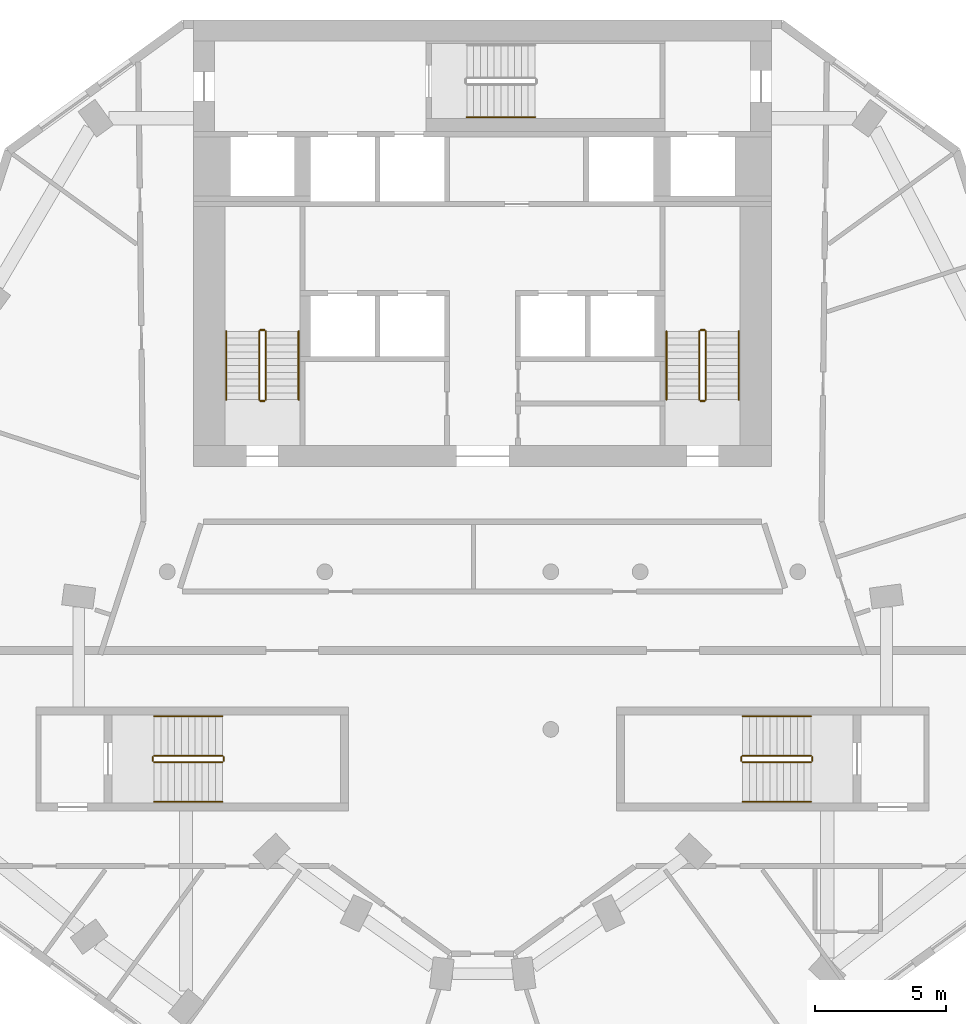
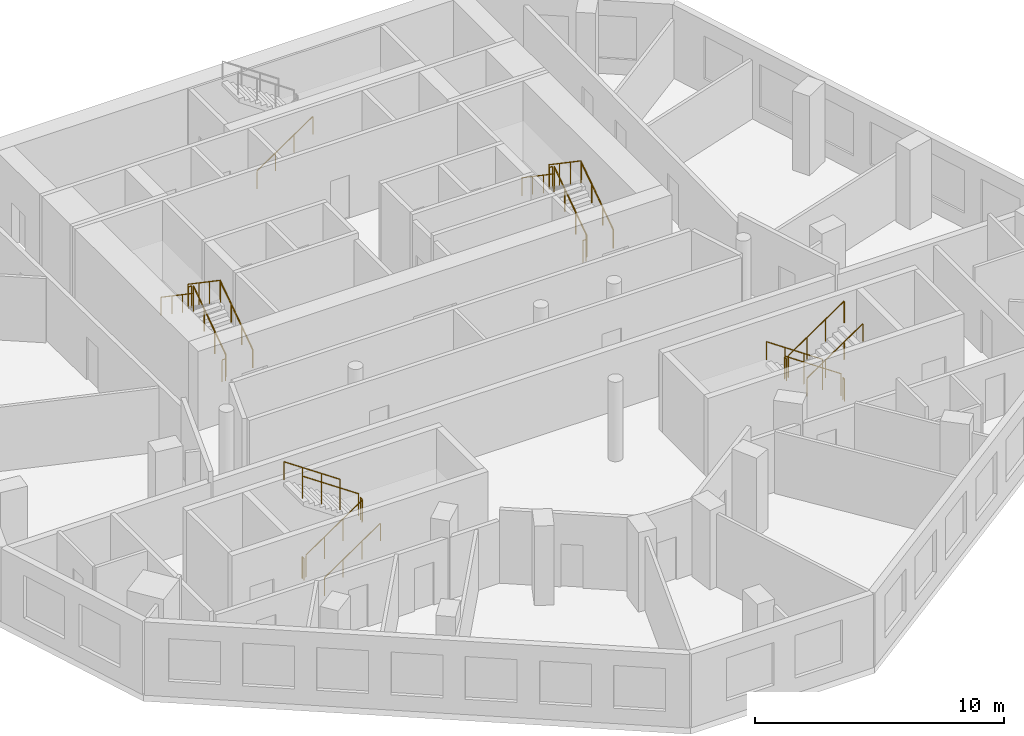
# One storey, part 8 of 9: 25 railings.
"""IFC4 building model written with IfcOpenShell, lengths in metres."""

from ifc_helpers import new_model, si_unit, direction, frame, origin, origin_2d, place, context, subcontext, project, spatial, circle, extrude, material, type_object, element, save


model = new_model("IFC4")

# Units and contexts
model_context = context("Model", 3, precision=1e-05, world=origin(), true_north=direction((0.0, 1.0)))
body_context = subcontext(model_context, "Body", "Model", "MODEL_VIEW")
ifc_project = project(units=[si_unit("LENGTHUNIT", "METRE"), si_unit("AREAUNIT", "SQUARE_METRE"), si_unit("VOLUMEUNIT", "CUBIC_METRE"), si_unit("PLANEANGLEUNIT", "RADIAN"), si_unit("MASSUNIT", "GRAM", prefix="KILO")], contexts=[model_context])

# Site, building, storey
site_placement = place(None, origin())
site = spatial("IfcSite", under=ifc_project, at=site_placement, CompositionType="ELEMENT")
building_placement = place(site_placement, origin())
building = spatial("IfcBuilding", under=site, at=building_placement, Name="White Candle Pilgrim Tower", CompositionType="ELEMENT")
storey_placement = place(building_placement, frame((0.0, 0.0, 227.699951171875)))
storey = spatial("IfcBuildingStorey", under=building, at=storey_placement, Name="L53", CompositionType="ELEMENT", Elevation=227.699951171875)

# Railings
ifc_material = material(Name="Stainless steel", Category="steel")
railing_type_1 = type_object("IfcRailingType", Name="Stair guard stainless steel 1100 mm", PredefinedType="GUARDRAIL", material=ifc_material)
railing_1_placement = place(storey_placement, frame((61.75, 73.550048828125, 0.17724609375)))
element("IfcRailing", 1, at=railing_1_placement, inside=storey, type_object=railing_type_1, Name="L53 ST1 stair guard 1", PredefinedType="GUARDRAIL", context=body_context, shape_type="SweptSolid", body=[
    extrude(circle(Radius=0.02392578125, at=origin_2d()), frame((0.0, 0.0, 1.076171875), z_axis=(0.0, 0.826215852431, 0.563353676824), x_axis=(-1.0, 0.0, 0.0)), (0.0, 0.0, 1.0), 3.146728515625),
    extrude(circle(Radius=0.02099609375, at=origin_2d()), origin(), (0.0, 0.0, 1.0), 1.052001953125),
    extrude(circle(Radius=0.02099609375, at=origin_2d()), frame((0.0, 0.86669921875, 0.5908203125)), (0.0, 0.0, 1.0), 1.052001953125),
    extrude(circle(Radius=0.02099609375, at=origin_2d()), frame((0.0, 1.733154296875, 1.181884765625)), (0.0, 0.0, 1.0), 1.052001953125),
    extrude(circle(Radius=0.02099609375, at=origin_2d()), frame((0.0, 2.599853515625, 1.772705078125)), (0.0, 0.0, 1.0), 1.052001953125),
])
railing_2_placement = place(storey_placement, frame((61.699951171875, 76.199951171875, 1.949951171875)))
element("IfcRailing", 2, at=railing_2_placement, inside=storey, type_object=railing_type_1, Name="L53 ST1 stair guard 2", PredefinedType="GUARDRAIL", context=body_context, shape_type="SweptSolid", body=[
    extrude(circle(Radius=0.02392578125, at=origin_2d()), frame((0.0, 0.0, 1.076171875), z_axis=(-1.0, 0.0, 0.0), x_axis=(0.0, -1.0, 0.0)), (0.0, 0.0, 1.0), 0.14990234375),
    extrude(circle(Radius=0.02099609375, at=origin_2d()), origin(), (0.0, 0.0, 1.0), 1.052001953125),
    extrude(circle(Radius=0.02099609375, at=origin_2d()), frame((-0.14990234375, 0.0, 0.0)), (0.0, 0.0, 1.0), 1.052001953125),
])
railing_3_placement = place(storey_placement, frame((61.5, 76.14990234375, 2.12744140625)))
element("IfcRailing", 3, at=railing_3_placement, inside=storey, type_object=railing_type_1, Name="L53 ST1 stair guard 3", PredefinedType="GUARDRAIL", context=body_context, shape_type="SweptSolid", body=[
    extrude(circle(Radius=0.02392578125, at=origin_2d()), frame((0.0, 0.0, 1.076171875), z_axis=(0.0, -0.826215852431, 0.563353676824), x_axis=(1.0, 0.0, 0.0)), (0.0, 0.0, 1.0), 3.146728515625),
    extrude(circle(Radius=0.02099609375, at=origin_2d()), origin(), (0.0, 0.0, 1.0), 1.052001953125),
    extrude(circle(Radius=0.02099609375, at=origin_2d()), frame((0.0, -0.86669921875, 0.5908203125)), (0.0, 0.0, 1.0), 1.052001953125),
    extrude(circle(Radius=0.02099609375, at=origin_2d()), frame((0.0, -1.733154296875, 1.181884765625)), (0.0, 0.0, 1.0), 1.052001953125),
    extrude(circle(Radius=0.02099609375, at=origin_2d()), frame((0.0, -2.599853515625, 1.772705078125)), (0.0, 0.0, 1.0), 1.052001953125),
])
railing_4_placement = place(storey_placement, frame((61.699951171875, 73.5, 0.0)))
element("IfcRailing", 4, at=railing_4_placement, inside=storey, type_object=railing_type_1, Name="L53 ST1 stair guard 4", PredefinedType="GUARDRAIL", context=body_context, shape_type="SweptSolid", body=[
    extrude(circle(Radius=0.02392578125, at=origin_2d()), frame((0.0, 0.0, 1.076171875), z_axis=(-1.0, 0.0, 0.0), x_axis=(0.0, -1.0, 0.0)), (0.0, 0.0, 1.0), 0.14990234375),
    extrude(circle(Radius=0.02099609375, at=origin_2d()), origin(), (0.0, 0.0, 1.0), 1.052001953125),
    extrude(circle(Radius=0.02099609375, at=origin_2d()), frame((-0.14990234375, 0.0, 0.0)), (0.0, 0.0, 1.0), 1.052001953125),
])
railing_5_placement = place(storey_placement, frame((78.5, 73.550048828125, 0.17724609375)))
element("IfcRailing", 5, at=railing_5_placement, inside=storey, type_object=railing_type_1, Name="L53 ST2 stair guard 1", PredefinedType="GUARDRAIL", context=body_context, shape_type="SweptSolid", body=[
    extrude(circle(Radius=0.02392578125, at=origin_2d()), frame((0.0, 0.0, 1.076171875), z_axis=(0.0, 0.826215852431, 0.563353676824), x_axis=(-1.0, 0.0, 0.0)), (0.0, 0.0, 1.0), 3.146728515625),
    extrude(circle(Radius=0.02099609375, at=origin_2d()), origin(), (0.0, 0.0, 1.0), 1.052001953125),
    extrude(circle(Radius=0.02099609375, at=origin_2d()), frame((0.0, 0.86669921875, 0.5908203125)), (0.0, 0.0, 1.0), 1.052001953125),
    extrude(circle(Radius=0.02099609375, at=origin_2d()), frame((0.0, 1.733154296875, 1.181884765625)), (0.0, 0.0, 1.0), 1.052001953125),
    extrude(circle(Radius=0.02099609375, at=origin_2d()), frame((0.0, 2.599853515625, 1.772705078125)), (0.0, 0.0, 1.0), 1.052001953125),
])
railing_6_placement = place(storey_placement, frame((78.449951171875, 76.199951171875, 1.949951171875)))
element("IfcRailing", 6, at=railing_6_placement, inside=storey, type_object=railing_type_1, Name="L53 ST2 stair guard 2", PredefinedType="GUARDRAIL", context=body_context, shape_type="SweptSolid", body=[
    extrude(circle(Radius=0.02392578125, at=origin_2d()), frame((0.0, 0.0, 1.076171875), z_axis=(-1.0, 0.0, 0.0), x_axis=(0.0, -1.0, 0.0)), (0.0, 0.0, 1.0), 0.14990234375),
    extrude(circle(Radius=0.02099609375, at=origin_2d()), origin(), (0.0, 0.0, 1.0), 1.052001953125),
    extrude(circle(Radius=0.02099609375, at=origin_2d()), frame((-0.14990234375, 0.0, 0.0)), (0.0, 0.0, 1.0), 1.052001953125),
])
railing_7_placement = place(storey_placement, frame((78.25, 76.14990234375, 2.12744140625)))
element("IfcRailing", 7, at=railing_7_placement, inside=storey, type_object=railing_type_1, Name="L53 ST2 stair guard 3", PredefinedType="GUARDRAIL", context=body_context, shape_type="SweptSolid", body=[
    extrude(circle(Radius=0.02392578125, at=origin_2d()), frame((0.0, 0.0, 1.076171875), z_axis=(0.0, -0.826215852431, 0.563353676824), x_axis=(1.0, 0.0, 0.0)), (0.0, 0.0, 1.0), 3.146728515625),
    extrude(circle(Radius=0.02099609375, at=origin_2d()), origin(), (0.0, 0.0, 1.0), 1.052001953125),
    extrude(circle(Radius=0.02099609375, at=origin_2d()), frame((0.0, -0.86669921875, 0.5908203125)), (0.0, 0.0, 1.0), 1.052001953125),
    extrude(circle(Radius=0.02099609375, at=origin_2d()), frame((0.0, -1.733154296875, 1.181884765625)), (0.0, 0.0, 1.0), 1.052001953125),
    extrude(circle(Radius=0.02099609375, at=origin_2d()), frame((0.0, -2.599853515625, 1.772705078125)), (0.0, 0.0, 1.0), 1.052001953125),
])
railing_8_placement = place(storey_placement, frame((78.449951171875, 73.5, 0.0)))
element("IfcRailing", 8, at=railing_8_placement, inside=storey, type_object=railing_type_1, Name="L53 ST2 stair guard 4", PredefinedType="GUARDRAIL", context=body_context, shape_type="SweptSolid", body=[
    extrude(circle(Radius=0.02392578125, at=origin_2d()), frame((0.0, 0.0, 1.076171875), z_axis=(-1.0, 0.0, 0.0), x_axis=(0.0, -1.0, 0.0)), (0.0, 0.0, 1.0), 0.14990234375),
    extrude(circle(Radius=0.02099609375, at=origin_2d()), origin(), (0.0, 0.0, 1.0), 1.052001953125),
    extrude(circle(Radius=0.02099609375, at=origin_2d()), frame((-0.14990234375, 0.0, 0.0)), (0.0, 0.0, 1.0), 1.052001953125),
])
railing_9_placement = place(storey_placement, frame((82.5, 60.0, 0.17724609375)))
element("IfcRailing", 9, at=railing_9_placement, inside=storey, type_object=railing_type_1, Name="L53 ST4 stair guard 1", PredefinedType="GUARDRAIL", context=body_context, shape_type="SweptSolid", body=[
    extrude(circle(Radius=0.02392578125, at=origin_2d()), frame((0.0, 0.0, 1.076171875), z_axis=(-0.826240473404, 0.0, 0.563317565952), x_axis=(0.0, -1.0, 0.0)), (0.0, 0.0, 1.0), 3.14697265625),
    extrude(circle(Radius=0.02099609375, at=origin_2d()), origin(), (0.0, 0.0, 1.0), 1.052001953125),
    extrude(circle(Radius=0.02099609375, at=origin_2d()), frame((-0.86669921875, 0.0, 0.5908203125)), (0.0, 0.0, 1.0), 1.052001953125),
    extrude(circle(Radius=0.02099609375, at=origin_2d()), frame((-1.7333984375, 0.0, 1.181884765625)), (0.0, 0.0, 1.0), 1.052001953125),
    extrude(circle(Radius=0.02099609375, at=origin_2d()), frame((-2.60009765625, 0.0, 1.772705078125)), (0.0, 0.0, 1.0), 1.052001953125),
])
railing_10_placement = place(storey_placement, frame((79.85009765625, 59.949951171875, 1.949951171875)))
element("IfcRailing", 10, at=railing_10_placement, inside=storey, type_object=railing_type_1, Name="L53 ST4 stair guard 2", PredefinedType="GUARDRAIL", context=body_context, shape_type="SweptSolid", body=[
    extrude(circle(Radius=0.02392578125, at=origin_2d()), frame((0.0, 0.0, 1.076171875), z_axis=(0.0, -1.0, 0.0), x_axis=(1.0, 0.0, 0.0)), (0.0, 0.0, 1.0), 0.14990234375),
    extrude(circle(Radius=0.02099609375, at=origin_2d()), origin(), (0.0, 0.0, 1.0), 1.052001953125),
    extrude(circle(Radius=0.02099609375, at=origin_2d()), frame((0.0, -0.14990234375, 0.0)), (0.0, 0.0, 1.0), 1.052001953125),
])
railing_11_placement = place(storey_placement, frame((79.89990234375, 59.75, 2.12744140625)))
element("IfcRailing", 11, at=railing_11_placement, inside=storey, type_object=railing_type_1, Name="L53 ST4 stair guard 3", PredefinedType="GUARDRAIL", context=body_context, shape_type="SweptSolid", body=[
    extrude(circle(Radius=0.02392578125, at=origin_2d()), frame((0.0, 0.0, 1.076171875), z_axis=(0.826240473404, 0.0, 0.563317565952), x_axis=(0.0, 1.0, 0.0)), (0.0, 0.0, 1.0), 3.14697265625),
    extrude(circle(Radius=0.02099609375, at=origin_2d()), origin(), (0.0, 0.0, 1.0), 1.052001953125),
    extrude(circle(Radius=0.02099609375, at=origin_2d()), frame((0.86669921875, 0.0, 0.5908203125)), (0.0, 0.0, 1.0), 1.052001953125),
    extrude(circle(Radius=0.02099609375, at=origin_2d()), frame((1.7333984375, 0.0, 1.181884765625)), (0.0, 0.0, 1.0), 1.052001953125),
    extrude(circle(Radius=0.02099609375, at=origin_2d()), frame((2.60009765625, 0.0, 1.772705078125)), (0.0, 0.0, 1.0), 1.052001953125),
])
railing_12_placement = place(storey_placement, frame((82.550048828125, 59.949951171875, 0.0)))
element("IfcRailing", 12, at=railing_12_placement, inside=storey, type_object=railing_type_1, Name="L53 ST4 stair guard 4", PredefinedType="GUARDRAIL", context=body_context, shape_type="SweptSolid", body=[
    extrude(circle(Radius=0.02392578125, at=origin_2d()), frame((0.0, 0.0, 1.076171875), z_axis=(0.0, -1.0, 0.0), x_axis=(1.0, 0.0, 0.0)), (0.0, 0.0, 1.0), 0.14990234375),
    extrude(circle(Radius=0.02099609375, at=origin_2d()), origin(), (0.0, 0.0, 1.0), 1.052001953125),
    extrude(circle(Radius=0.02099609375, at=origin_2d()), frame((0.0, -0.14990234375, 0.0)), (0.0, 0.0, 1.0), 1.052001953125),
])
railing_13_placement = place(storey_placement, frame((57.5, 59.75, 0.17724609375)))
element("IfcRailing", 13, at=railing_13_placement, inside=storey, type_object=railing_type_1, Name="L53 ST5 stair guard 1", PredefinedType="GUARDRAIL", context=body_context, shape_type="SweptSolid", body=[
    extrude(circle(Radius=0.02392578125, at=origin_2d()), frame((0.0, 0.0, 1.076171875), z_axis=(0.826240473404, 0.0, 0.563317565952), x_axis=(0.0, 1.0, 0.0)), (0.0, 0.0, 1.0), 3.14697265625),
    extrude(circle(Radius=0.02099609375, at=origin_2d()), origin(), (0.0, 0.0, 1.0), 1.052001953125),
    extrude(circle(Radius=0.02099609375, at=origin_2d()), frame((0.86669921875, 0.0, 0.5908203125)), (0.0, 0.0, 1.0), 1.052001953125),
    extrude(circle(Radius=0.02099609375, at=origin_2d()), frame((1.7333984375, 0.0, 1.181884765625)), (0.0, 0.0, 1.0), 1.052001953125),
    extrude(circle(Radius=0.02099609375, at=origin_2d()), frame((2.60009765625, 0.0, 1.772705078125)), (0.0, 0.0, 1.0), 1.052001953125),
])
railing_14_placement = place(storey_placement, frame((60.14990234375, 59.800048828125, 1.949951171875)))
element("IfcRailing", 14, at=railing_14_placement, inside=storey, type_object=railing_type_1, Name="L53 ST5 stair guard 2", PredefinedType="GUARDRAIL", context=body_context, shape_type="SweptSolid", body=[
    extrude(circle(Radius=0.02392578125, at=origin_2d()), frame((0.0, 0.0, 1.076171875), z_axis=(0.0, 1.0, 0.0), x_axis=(-1.0, 0.0, 0.0)), (0.0, 0.0, 1.0), 0.14990234375),
    extrude(circle(Radius=0.02099609375, at=origin_2d()), origin(), (0.0, 0.0, 1.0), 1.052001953125),
    extrude(circle(Radius=0.02099609375, at=origin_2d()), frame((0.0, 0.14990234375, 0.0)), (0.0, 0.0, 1.0), 1.052001953125),
])
railing_15_placement = place(storey_placement, frame((60.10009765625, 60.0, 2.12744140625)))
element("IfcRailing", 15, at=railing_15_placement, inside=storey, type_object=railing_type_1, Name="L53 ST5 stair guard 3", PredefinedType="GUARDRAIL", context=body_context, shape_type="SweptSolid", body=[
    extrude(circle(Radius=0.02392578125, at=origin_2d()), frame((0.0, 0.0, 1.076171875), z_axis=(-0.826240473404, 0.0, 0.563317565952), x_axis=(0.0, -1.0, 0.0)), (0.0, 0.0, 1.0), 3.14697265625),
    extrude(circle(Radius=0.02099609375, at=origin_2d()), origin(), (0.0, 0.0, 1.0), 1.052001953125),
    extrude(circle(Radius=0.02099609375, at=origin_2d()), frame((-0.86669921875, 0.0, 0.5908203125)), (0.0, 0.0, 1.0), 1.052001953125),
    extrude(circle(Radius=0.02099609375, at=origin_2d()), frame((-1.7333984375, 0.0, 1.181884765625)), (0.0, 0.0, 1.0), 1.052001953125),
    extrude(circle(Radius=0.02099609375, at=origin_2d()), frame((-2.60009765625, 0.0, 1.772705078125)), (0.0, 0.0, 1.0), 1.052001953125),
])
railing_16_placement = place(storey_placement, frame((57.449951171875, 59.800048828125, 0.0)))
element("IfcRailing", 16, at=railing_16_placement, inside=storey, type_object=railing_type_1, Name="L53 ST5 stair guard 4", PredefinedType="GUARDRAIL", context=body_context, shape_type="SweptSolid", body=[
    extrude(circle(Radius=0.02392578125, at=origin_2d()), frame((0.0, 0.0, 1.076171875), z_axis=(0.0, 1.0, 0.0), x_axis=(-1.0, 0.0, 0.0)), (0.0, 0.0, 1.0), 0.14990234375),
    extrude(circle(Radius=0.02099609375, at=origin_2d()), origin(), (0.0, 0.0, 1.0), 1.052001953125),
    extrude(circle(Radius=0.02099609375, at=origin_2d()), frame((0.0, 0.14990234375, 0.0)), (0.0, 0.0, 1.0), 1.052001953125),
])
railing_type_2 = type_object("IfcRailingType", Name="Stair handrail stainless steel", PredefinedType="HANDRAIL", material=ifc_material)
railing_17_placement = place(storey_placement, frame((63.0, 73.550048828125, 0.17724609375)))
element("IfcRailing", 17, at=railing_17_placement, inside=storey, type_object=railing_type_2, Name="L53 ST1 stair handrail 1", PredefinedType="HANDRAIL", context=body_context, shape_type="SweptSolid", body=[
    extrude(circle(Radius=0.02392578125, at=origin_2d()), frame((0.0, 0.0, 0.8759765625), z_axis=(0.0, 0.826215852431, 0.563353676824), x_axis=(-1.0, 0.0, 0.0)), (0.0, 0.0, 1.0), 3.146728515625),
    extrude(circle(Radius=0.02099609375, at=origin_2d()), origin(), (0.0, 0.0, 1.0), 0.851806640625),
    extrude(circle(Radius=0.02099609375, at=origin_2d()), frame((0.0, 0.86669921875, 0.5908203125)), (0.0, 0.0, 1.0), 0.851806640625),
    extrude(circle(Radius=0.02099609375, at=origin_2d()), frame((0.0, 1.733154296875, 1.181884765625)), (0.0, 0.0, 1.0), 0.851806640625),
    extrude(circle(Radius=0.02099609375, at=origin_2d()), frame((0.0, 2.599853515625, 1.772705078125)), (0.0, 0.0, 1.0), 0.851806640625),
])
railing_18_placement = place(storey_placement, frame((60.25, 76.14990234375, 2.12744140625)))
element("IfcRailing", 18, at=railing_18_placement, inside=storey, type_object=railing_type_2, Name="L53 ST1 stair handrail 2", PredefinedType="HANDRAIL", context=body_context, shape_type="SweptSolid", body=[
    extrude(circle(Radius=0.02392578125, at=origin_2d()), frame((0.0, 0.0, 0.8759765625), z_axis=(0.0, -0.826215852431, 0.563353676824), x_axis=(1.0, 0.0, 0.0)), (0.0, 0.0, 1.0), 3.146728515625),
    extrude(circle(Radius=0.02099609375, at=origin_2d()), origin(), (0.0, 0.0, 1.0), 0.851806640625),
    extrude(circle(Radius=0.02099609375, at=origin_2d()), frame((0.0, -0.86669921875, 0.5908203125)), (0.0, 0.0, 1.0), 0.851806640625),
    extrude(circle(Radius=0.02099609375, at=origin_2d()), frame((0.0, -1.733154296875, 1.181884765625)), (0.0, 0.0, 1.0), 0.851806640625),
    extrude(circle(Radius=0.02099609375, at=origin_2d()), frame((0.0, -2.599853515625, 1.772705078125)), (0.0, 0.0, 1.0), 0.851806640625),
])
railing_19_placement = place(storey_placement, frame((79.75, 73.550048828125, 0.17724609375)))
element("IfcRailing", 19, at=railing_19_placement, inside=storey, type_object=railing_type_2, Name="L53 ST2 stair handrail 1", PredefinedType="HANDRAIL", context=body_context, shape_type="SweptSolid", body=[
    extrude(circle(Radius=0.02392578125, at=origin_2d()), frame((0.0, 0.0, 0.8759765625), z_axis=(0.0, 0.826215852431, 0.563353676824), x_axis=(-1.0, 0.0, 0.0)), (0.0, 0.0, 1.0), 3.146728515625),
    extrude(circle(Radius=0.02099609375, at=origin_2d()), origin(), (0.0, 0.0, 1.0), 0.851806640625),
    extrude(circle(Radius=0.02099609375, at=origin_2d()), frame((0.0, 0.86669921875, 0.5908203125)), (0.0, 0.0, 1.0), 0.851806640625),
    extrude(circle(Radius=0.02099609375, at=origin_2d()), frame((0.0, 1.733154296875, 1.181884765625)), (0.0, 0.0, 1.0), 0.851806640625),
    extrude(circle(Radius=0.02099609375, at=origin_2d()), frame((0.0, 2.599853515625, 1.772705078125)), (0.0, 0.0, 1.0), 0.851806640625),
])
railing_20_placement = place(storey_placement, frame((77.0, 76.14990234375, 2.12744140625)))
element("IfcRailing", 20, at=railing_20_placement, inside=storey, type_object=railing_type_2, Name="L53 ST2 stair handrail 2", PredefinedType="HANDRAIL", context=body_context, shape_type="SweptSolid", body=[
    extrude(circle(Radius=0.02392578125, at=origin_2d()), frame((0.0, 0.0, 0.8759765625), z_axis=(0.0, -0.826215852431, 0.563353676824), x_axis=(1.0, 0.0, 0.0)), (0.0, 0.0, 1.0), 3.146728515625),
    extrude(circle(Radius=0.02099609375, at=origin_2d()), origin(), (0.0, 0.0, 1.0), 0.851806640625),
    extrude(circle(Radius=0.02099609375, at=origin_2d()), frame((0.0, -0.86669921875, 0.5908203125)), (0.0, 0.0, 1.0), 0.851806640625),
    extrude(circle(Radius=0.02099609375, at=origin_2d()), frame((0.0, -1.733154296875, 1.181884765625)), (0.0, 0.0, 1.0), 0.851806640625),
    extrude(circle(Radius=0.02099609375, at=origin_2d()), frame((0.0, -2.599853515625, 1.772705078125)), (0.0, 0.0, 1.0), 0.851806640625),
])
railing_21_placement = place(storey_placement, frame((69.39990234375, 84.300048828125, 0.17724609375)))
element("IfcRailing", 21, at=railing_21_placement, inside=storey, type_object=railing_type_2, Name="L53 ST3 stair handrail 1", PredefinedType="HANDRAIL", context=body_context, shape_type="SweptSolid", body=[
    extrude(circle(Radius=0.02392578125, at=origin_2d()), frame((0.0, 0.0, 0.8759765625), z_axis=(0.826240473404, 0.0, 0.563317565952), x_axis=(0.0, 1.0, 0.0)), (0.0, 0.0, 1.0), 3.14697265625),
    extrude(circle(Radius=0.02099609375, at=origin_2d()), origin(), (0.0, 0.0, 1.0), 0.851806640625),
    extrude(circle(Radius=0.02099609375, at=origin_2d()), frame((0.86669921875, 0.0, 0.5908203125)), (0.0, 0.0, 1.0), 0.851806640625),
    extrude(circle(Radius=0.02099609375, at=origin_2d()), frame((1.7333984375, 0.0, 1.181884765625)), (0.0, 0.0, 1.0), 0.851806640625),
    extrude(circle(Radius=0.02099609375, at=origin_2d()), frame((2.60009765625, 0.0, 1.772705078125)), (0.0, 0.0, 1.0), 0.851806640625),
])
railing_22_placement = place(storey_placement, frame((82.5, 61.5, 0.17724609375)))
element("IfcRailing", 22, at=railing_22_placement, inside=storey, type_object=railing_type_2, Name="L53 ST4 stair handrail 1", PredefinedType="HANDRAIL", context=body_context, shape_type="SweptSolid", body=[
    extrude(circle(Radius=0.02392578125, at=origin_2d()), frame((0.0, 0.0, 0.8759765625), z_axis=(-0.826240473404, 0.0, 0.563317565952), x_axis=(0.0, -1.0, 0.0)), (0.0, 0.0, 1.0), 3.14697265625),
    extrude(circle(Radius=0.02099609375, at=origin_2d()), origin(), (0.0, 0.0, 1.0), 0.851806640625),
    extrude(circle(Radius=0.02099609375, at=origin_2d()), frame((-0.86669921875, 0.0, 0.5908203125)), (0.0, 0.0, 1.0), 0.851806640625),
    extrude(circle(Radius=0.02099609375, at=origin_2d()), frame((-1.7333984375, 0.0, 1.181884765625)), (0.0, 0.0, 1.0), 0.851806640625),
    extrude(circle(Radius=0.02099609375, at=origin_2d()), frame((-2.60009765625, 0.0, 1.772705078125)), (0.0, 0.0, 1.0), 0.851806640625),
])
for number, where, name in (
    (23, (79.89990234375, 58.25, 2.12744140625), "L53 ST4 stair handrail 2"),
    (24, (57.5, 58.25, 0.17724609375), "L53 ST5 stair handrail 1"),
):
    element("IfcRailing", number, at=place(storey_placement, frame(where)), inside=storey, type_object=railing_type_2, Name=name, PredefinedType="HANDRAIL", context=body_context, shape_type="SweptSolid", body=[
        extrude(circle(Radius=0.02392578125, at=origin_2d()), frame((0.0, 0.0, 0.8759765625), z_axis=(0.826240473404, 0.0, 0.563317565952), x_axis=(0.0, 1.0, 0.0)), (0.0, 0.0, 1.0), 3.14697265625),
        extrude(circle(Radius=0.02099609375, at=origin_2d()), origin(), (0.0, 0.0, 1.0), 0.851806640625),
        extrude(circle(Radius=0.02099609375, at=origin_2d()), frame((0.86669921875, 0.0, 0.5908203125)), (0.0, 0.0, 1.0), 0.851806640625),
        extrude(circle(Radius=0.02099609375, at=origin_2d()), frame((1.7333984375, 0.0, 1.181884765625)), (0.0, 0.0, 1.0), 0.851806640625),
        extrude(circle(Radius=0.02099609375, at=origin_2d()), frame((2.60009765625, 0.0, 1.772705078125)), (0.0, 0.0, 1.0), 0.851806640625),
    ])
railing_23_placement = place(storey_placement, frame((60.10009765625, 61.5, 2.12744140625)))
element("IfcRailing", 25, at=railing_23_placement, inside=storey, type_object=railing_type_2, Name="L53 ST5 stair handrail 2", PredefinedType="HANDRAIL", context=body_context, shape_type="SweptSolid", body=[
    extrude(circle(Radius=0.02392578125, at=origin_2d()), frame((0.0, 0.0, 0.8759765625), z_axis=(-0.826240473404, 0.0, 0.563317565952), x_axis=(0.0, -1.0, 0.0)), (0.0, 0.0, 1.0), 3.14697265625),
    extrude(circle(Radius=0.02099609375, at=origin_2d()), origin(), (0.0, 0.0, 1.0), 0.851806640625),
    extrude(circle(Radius=0.02099609375, at=origin_2d()), frame((-0.86669921875, 0.0, 0.5908203125)), (0.0, 0.0, 1.0), 0.851806640625),
    extrude(circle(Radius=0.02099609375, at=origin_2d()), frame((-1.7333984375, 0.0, 1.181884765625)), (0.0, 0.0, 1.0), 0.851806640625),
    extrude(circle(Radius=0.02099609375, at=origin_2d()), frame((-2.60009765625, 0.0, 1.772705078125)), (0.0, 0.0, 1.0), 0.851806640625),
])

save(model, "model.ifc")
